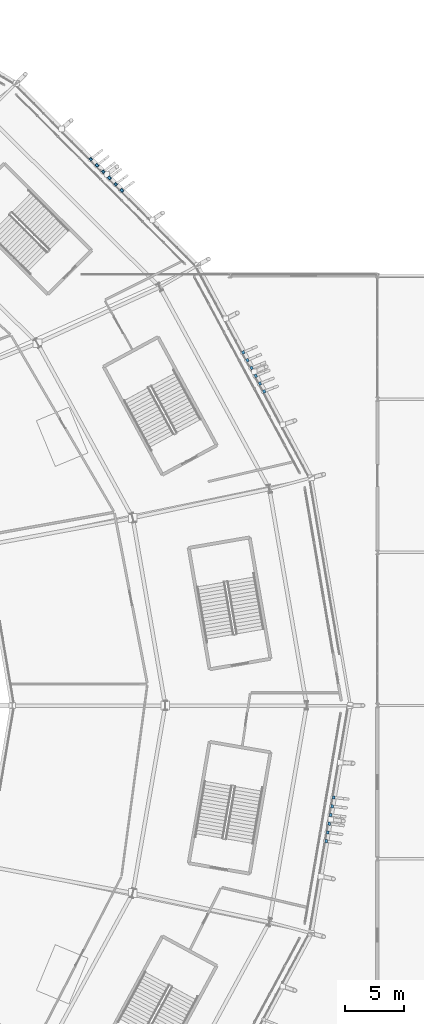
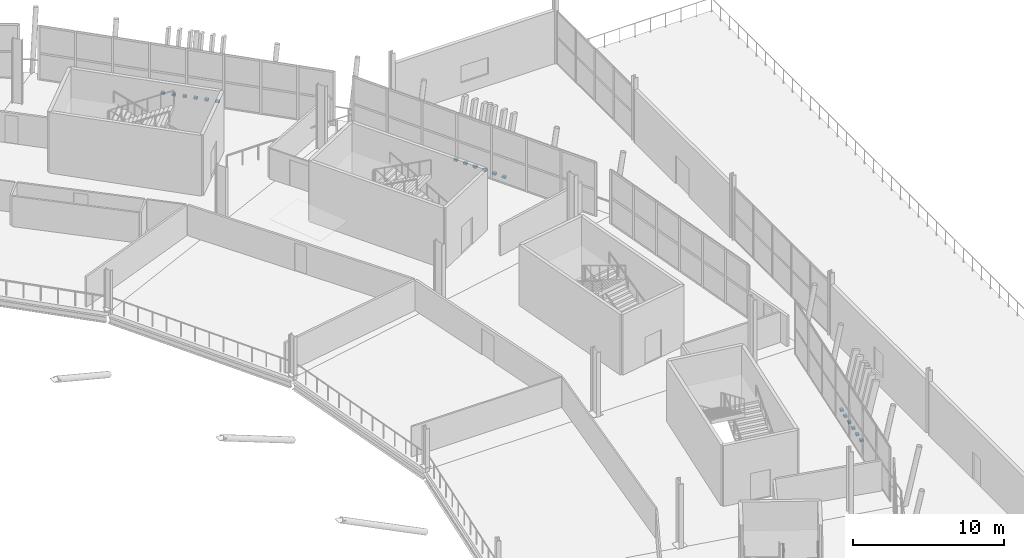
# One storey, part 136 of 168: 18 discrete accessories.
"""IFC4 building model written with IfcOpenShell, lengths in metres."""

import ifcopenshell
import ifcopenshell.guid

model = None  # the IFC model being written
_history = None  # IfcOwnerHistory: only IFC2X3 demands one
_inside = {}  # id of a spatial element -> (the spatial element, [elements in it])
_under = {}  # id of a project, library or spatial element -> (it, [spatial elements below it])
_declared = {}  # id of a project -> (the project, [libraries it declares])
_typed = {}  # id of a type object -> (the type object, [elements of that type])
_made_of = {}  # id of a material, layer set ... -> (it, [elements and type objects made of it])


def new_model(schema):
    """Start an empty IFC model of exactly this schema.

    Asked for "IFC4X3", IfcOpenShell would pick the latest addendum, in which some entities
    have other attributes; the version numbers below select the first issue.
    IFC2X3 requires an IfcOwnerHistory on every rooted entity: one is made here for all.
    """
    global model, _history
    if schema == "IFC4X3":
        model = ifcopenshell.file(schema_version=(4, 3, 0, 0))
    else:
        model = ifcopenshell.file(schema=schema)
    _inside.clear()
    _under.clear()
    _declared.clear()
    _typed.clear()
    _made_of.clear()
    _history = None
    if model.schema == "IFC2X3":
        org = make("IfcOrganization", Name="unknown")
        user = make(
            "IfcPersonAndOrganization",
            ThePerson=make("IfcPerson", FamilyName="unknown"),
            TheOrganization=org,
        )
        app = make(
            "IfcApplication",
            ApplicationDeveloper=org,
            Version="unknown",
            ApplicationFullName="unknown",
            ApplicationIdentifier="unknown",
        )
        _history = make(
            "IfcOwnerHistory",
            OwningUser=user,
            OwningApplication=app,
            ChangeAction="ADDED",
            CreationDate=0,
        )
    return model


def make(cls, **values):
    """One entity of the class cls with the attributes given. An attribute that is None is left unset."""
    return model.create_entity(
        cls, **{name: value for name, value in values.items() if value is not None}
    )


def rooted(cls, **values):
    """An entity with a GlobalId (a new one), such as an element, a storey or a relation."""
    return make(cls, GlobalId=ifcopenshell.guid.new(), OwnerHistory=_history, **values)


def si_unit(unit_type, name, prefix=None):
    """IfcSIUnit, for example si_unit("LENGTHUNIT", "METRE", prefix="MILLI")."""
    return make("IfcSIUnit", UnitType=unit_type, Prefix=prefix, Name=name)


def assignment(units):
    """IfcUnitAssignment: the units of a project."""
    return None if units is None else make("IfcUnitAssignment", Units=units)


def point(xyz):
    """IfcCartesianPoint."""
    return None if xyz is None else make("IfcCartesianPoint", Coordinates=xyz)


def direction(xyz):
    """IfcDirection."""
    return None if xyz is None else make("IfcDirection", DirectionRatios=xyz)


def frame(location, z_axis=None, x_axis=None):
    """IfcAxis2Placement3D, a coordinate frame: its origin and axes. An axis left out is left unset."""
    return make(
        "IfcAxis2Placement3D",
        Location=point(location),
        Axis=direction(z_axis),
        RefDirection=direction(x_axis),
    )


def frame_2d(location, x_axis=None):
    """IfcAxis2Placement2D, a coordinate frame in the plane: its origin and x axis."""
    return make(
        "IfcAxis2Placement2D", Location=point(location), RefDirection=direction(x_axis)
    )


def origin():
    """The frame at (0, 0, 0) with its axes left unset."""
    return frame((0.0, 0.0, 0.0))


def origin_2d():
    """The frame at (0, 0) in the plane with its x axis left unset."""
    return frame_2d((0.0, 0.0))


def place(relative_to, where):
    """IfcLocalPlacement: puts the frame where relative to a parent placement (None: the world)."""
    return make(
        "IfcLocalPlacement", PlacementRelTo=relative_to, RelativePlacement=where
    )


def context(
    kind, dimensions, precision=None, world=None, true_north=None, identifier=None
):
    """IfcGeometricRepresentationContext, for example the 3D "Model" context."""
    return make(
        "IfcGeometricRepresentationContext",
        ContextIdentifier=identifier,
        ContextType=kind,
        CoordinateSpaceDimension=dimensions,
        Precision=precision,
        WorldCoordinateSystem=world,
        TrueNorth=true_north,
    )


def subcontext(parent, identifier, kind, view, scale=None):
    """IfcGeometricRepresentationSubContext, for example "Body" below "Model"."""
    return make(
        "IfcGeometricRepresentationSubContext",
        ContextIdentifier=identifier,
        ContextType=kind,
        ParentContext=parent,
        TargetScale=scale,
        TargetView=view,
    )


def project(units=None, contexts=None):
    """IfcProject with its units and contexts."""
    return rooted(
        "IfcProject",
        Name="project",
        RepresentationContexts=contexts,
        UnitsInContext=assignment(units),
    )


def spatial(cls, under=None, at=None, **own):
    """A site, building, storey or space (cls), placed at a placement, below another one or the project."""
    s = rooted(cls, ObjectPlacement=at, **own)
    if under is not None:
        _under.setdefault(under.id(), (under, []))[1].append(s)
    return s


def profile(cls, at=None, kind="AREA", **sizes):
    """A parametric profile (cls). Its sizes go by their IFC names, for example OverallWidth=200.0."""
    return make(cls, ProfileType=kind, Position=at, **sizes)


def rectangle(**sizes):
    """IfcRectangleProfileDef."""
    return profile("IfcRectangleProfileDef", **sizes)


def extrude(swept, where, along, depth):
    """IfcExtrudedAreaSolid: the profile swept, set in the frame where, extruded along a direction by depth."""
    return make(
        "IfcExtrudedAreaSolid",
        SweptArea=swept,
        Position=where,
        ExtrudedDirection=direction(along),
        Depth=depth,
    )


def shape(context_of_items, identifier, shape_type, items):
    """IfcShapeRepresentation: the items that make up one representation, for example the "Body"."""
    return make(
        "IfcShapeRepresentation",
        ContextOfItems=context_of_items,
        RepresentationIdentifier=identifier,
        RepresentationType=shape_type,
        Items=items,
    )


def material(Name=None, Category=None):
    """IfcMaterial."""
    return make("IfcMaterial", Name=Name, Category=Category)


def made_of(thing, what):
    """Note that an element or type object is made of a material, layer set ...; save() writes the relation."""
    if what is not None:
        _made_of.setdefault(what.id(), (what, []))[1].append(thing)
    return thing


def type_object(cls, material=None, **own):
    """A type object (cls), such as IfcWallType, which elements share."""
    return made_of(rooted(cls, **own), material)


def element(
    cls,
    number,
    at=None,
    inside=None,
    cuts=None,
    type_object=None,
    material=None,
    context=None,
    identifier="Body",
    shape_type=None,
    held_by="IfcProductDefinitionShape",
    body=None,
    shapes=None,
    **own,
):
    """One element of the class cls, such as IfcWall. Its Tag is "e" and its number.

    at: its placement. inside: the storey or other place that contains it. cuts: it is an
    opening in that element (IfcRelVoidsElement). A single representation is given by context,
    identifier, shape_type and body (its items); several are given by shapes. held_by: the class
    of the entity that holds the representations. save() writes the other relations.
    """
    e = rooted(cls, Tag="e%d" % number, ObjectPlacement=at, **own)
    if body is not None:
        shapes = [shape(context, identifier, shape_type, body)]
    if shapes is not None:
        e.Representation = make(held_by, Representations=shapes)
    if inside is not None:
        _inside.setdefault(inside.id(), (inside, []))[1].append(e)
    if cuts is not None:
        rooted(
            "IfcRelVoidsElement", RelatingBuildingElement=cuts, RelatedOpeningElement=e
        )
    if type_object is not None:
        _typed.setdefault(type_object.id(), (type_object, []))[1].append(e)
    return made_of(e, material)


def aggregate(whole, parts):
    """IfcRelAggregates: a whole, such as a stair, and the parts it consists of."""
    return rooted("IfcRelAggregates", RelatingObject=whole, RelatedObjects=parts)


def save(model, path):
    """Write the relations noted so far, then the file.

    IfcRelAggregates (storeys below a building ...), IfcRelContainedInSpatialStructure (elements
    in a storey), IfcRelDefinesByType, IfcRelAssociatesMaterial and IfcRelDeclares: one each for
    every whole, place, type object, material and project.
    """
    for whole, parts in _under.values():
        aggregate(whole, parts)
    for where, things in _inside.values():
        rooted(
            "IfcRelContainedInSpatialStructure",
            RelatedElements=things,
            RelatingStructure=where,
        )
    for kind, things in _typed.values():
        rooted("IfcRelDefinesByType", RelatedObjects=things, RelatingType=kind)
    for what, things in _made_of.values():
        rooted("IfcRelAssociatesMaterial", RelatedObjects=things, RelatingMaterial=what)
    for by, libraries in _declared.values():
        rooted("IfcRelDeclares", RelatingContext=by, RelatedDefinitions=libraries)
    model.write(path)


model = new_model("IFC4")

# Units and contexts
model_context = context("Model", 3, precision=1e-05, world=origin(), true_north=direction((0.0, 1.0)))
body_context = subcontext(model_context, "Body", "Model", "MODEL_VIEW")
ifc_project = project(units=[si_unit("LENGTHUNIT", "METRE"), si_unit("AREAUNIT", "SQUARE_METRE"), si_unit("VOLUMEUNIT", "CUBIC_METRE"), si_unit("PLANEANGLEUNIT", "RADIAN"), si_unit("MASSUNIT", "GRAM", prefix="KILO")], contexts=[model_context])

# Site, building, storey
site_placement = place(None, origin())
site = spatial("IfcSite", under=ifc_project, at=site_placement, CompositionType="ELEMENT")
building_placement = place(site_placement, origin())
building = spatial("IfcBuilding", under=site, at=building_placement, Name="Zlatoyarsky Gate Stadium", CompositionType="ELEMENT")
storey_placement = place(building_placement, frame((0.0, 0.0, 15.60009765625)))
storey = spatial("IfcBuildingStorey", under=building, at=storey_placement, Name="L03", CompositionType="ELEMENT", Elevation=15.60009765625)

# Discrete accessories
ifc_material = material(Name="Steel S355", Category="steel")
discrete_accessory_type = type_object("IfcDiscreteAccessoryType", Name="STEEL LOUVRE ANCHOR BRACKET 260X220X160", PredefinedType="BRACKET", material=ifc_material)
for number, where, z_axis, x_axis, name in (
    (1, (200.389892578125, 106.659912109375, -0.02001953125), (0.0, 0.0, 1.0), (-0.472642994374, 0.881253992825, 0.0), "Louvre anchor bracket L03-01-1"),
    (2, (200.035400390625, 107.32080078125, -0.02001953125), (0.0, 0.0, 1.0), (-0.472642994374, 0.881253992825, 0.0), "Louvre anchor bracket L03-01-2"),
    (3, (199.680908203125, 107.98193359375, -0.02001953125), (0.0, 0.0, 1.0), (-0.472642994374, 0.881253992825, 0.0), "Louvre anchor bracket L03-01-3"),
    (4, (199.326416015625, 108.642822265625, -0.02001953125), (0.0, 0.0, 1.0), (-0.472642994374, 0.881253992825, 0.0), "Louvre anchor bracket L03-01-4"),
    (5, (198.971923828125, 109.3037109375, -0.02001953125), (0.0, 0.0, 1.0), (-0.472642994374, 0.881253992825, 0.0), "Louvre anchor bracket L03-01-5"),
    (6, (198.617431640625, 109.964599609375, -0.02001953125), (0.0, 0.0, 1.0), (-0.472642994374, 0.881253992825, 0.0), "Louvre anchor bracket L03-01-6"),
    (7, (188.3212890625, 123.70849609375, -0.02001953125), (0.0, 0.0, 1.0), (-0.704814912605, 0.709391245343, 0.0), "Louvre anchor bracket L03-02-1"),
    (8, (187.792724609375, 124.240478515625, -0.02001953125), (0.0, 0.0, 1.0), (-0.704814912605, 0.709391245343, 0.0), "Louvre anchor bracket L03-02-2"),
    (9, (187.26416015625, 124.7724609375, -0.02001953125), (0.0, 0.0, 1.0), (-0.704814912605, 0.709391245343, 0.0), "Louvre anchor bracket L03-02-3"),
    (10, (186.7353515625, 125.304443359375, -0.02001953125), (0.0, 0.0, 1.0), (-0.704814912605, 0.709391245343, 0.0), "Louvre anchor bracket L03-02-4"),
    (11, (186.206787109375, 125.836669921875, -0.02001953125), (0.0, 0.0, 1.0), (-0.704814912605, 0.709391245343, 0.0), "Louvre anchor bracket L03-02-5"),
    (12, (185.67822265625, 126.36865234375, -0.02001953125), (0.0, 0.0, 1.0), (-0.704814912605, 0.709391245343, 0.0), "Louvre anchor bracket L03-02-6"),
    (13, (205.660888671875, 68.494873046875, -0.02001953125), (0.0, 0.0, 1.0), (0.168041345134, 0.985779948227, 0.0), "Louvre anchor bracket L03-23-1"),
    (14, (205.787109375, 69.234130859375, -0.02001953125), (0.0, 0.0, 1.0), (0.168041345134, 0.985779948227, 0.0), "Louvre anchor bracket L03-23-2"),
    (15, (205.9130859375, 69.973388671875, -0.02001953125), (0.0, 0.0, 1.0), (0.168041345134, 0.985779948227, 0.0), "Louvre anchor bracket L03-23-3"),
    (16, (206.0390625, 70.712890625, -0.02001953125), (0.0, 0.0, 1.0), (0.168041345134, 0.985779948227, 0.0), "Louvre anchor bracket L03-23-4"),
    (17, (206.1650390625, 71.4521484375, -0.02001953125), (0.0, 0.0, 1.0), (0.168041345134, 0.985779948227, 0.0), "Louvre anchor bracket L03-23-5"),
    (18, (206.291015625, 72.19140625, -0.02001953125), (0.0, 0.0, 1.0), (0.168041345134, 0.985779948227, 0.0), "Louvre anchor bracket L03-23-6"),
):
    element("IfcDiscreteAccessory", number, at=place(storey_placement, frame(where, z_axis=z_axis, x_axis=x_axis)), inside=storey, type_object=discrete_accessory_type, Name=name, PredefinedType="BRACKET", context=body_context, shape_type="SweptSolid", body=[
        extrude(rectangle(XDim=0.260009765625, YDim=0.219970703125, at=origin_2d()), origin(), (0.0, 0.0, 1.0), 0.159912109375),
    ])

save(model, "model.ifc")
